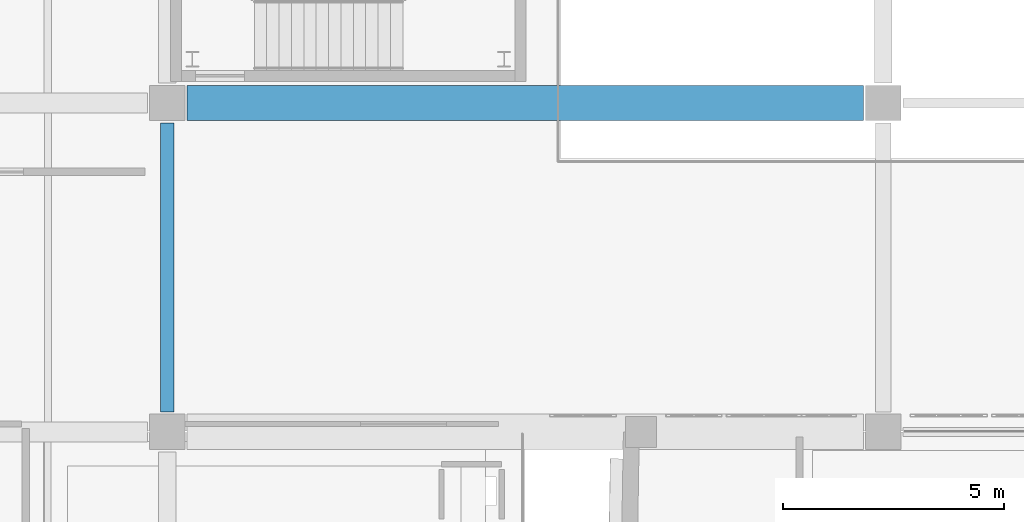
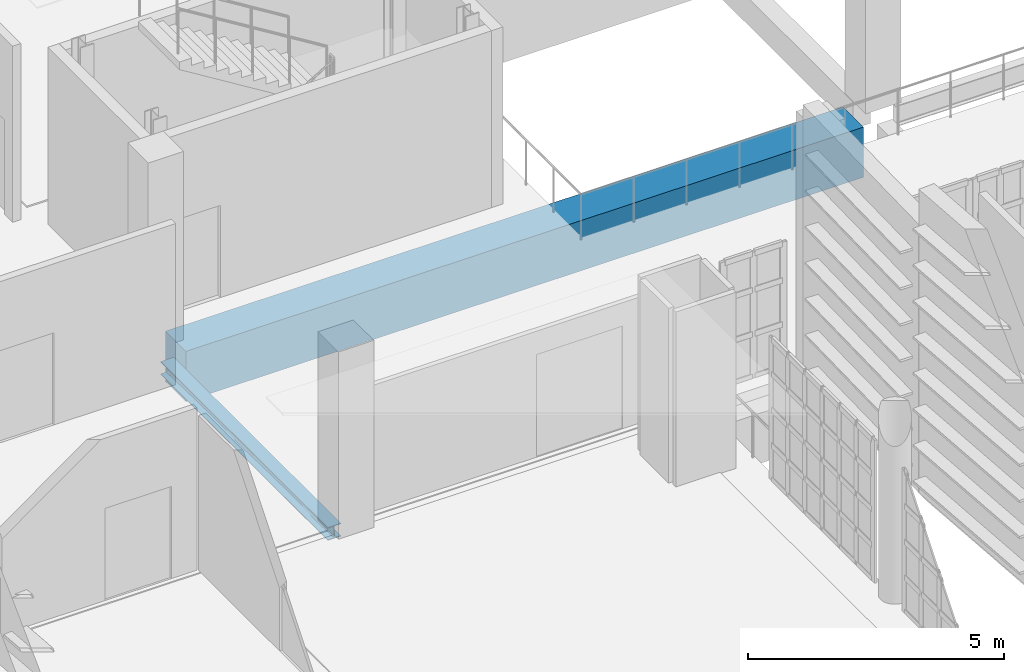
# One storey, part 17 of 73: 2 beams.
"""IFC4 building model written with IfcOpenShell, lengths in metres."""

from ifc_helpers import new_model, si_unit, direction, frame, origin, origin_2d, place, context, subcontext, project, spatial, rectangle, i_section, extrude, material, material_profile, profile_set, type_object, element, save


model = new_model("IFC4")

# Units and contexts
model_context = context("Model", 3, precision=1e-05, world=origin(), true_north=direction((0.0, 1.0)))
body_context = subcontext(model_context, "Body", "Model", "MODEL_VIEW")
ifc_project = project(units=[si_unit("LENGTHUNIT", "METRE"), si_unit("AREAUNIT", "SQUARE_METRE"), si_unit("VOLUMEUNIT", "CUBIC_METRE"), si_unit("PLANEANGLEUNIT", "RADIAN"), si_unit("MASSUNIT", "GRAM", prefix="KILO")], contexts=[model_context])

# Site, building, storey
site_placement = place(None, origin())
site = spatial("IfcSite", under=ifc_project, at=site_placement, CompositionType="ELEMENT")
building_placement = place(site_placement, origin())
building = spatial("IfcBuilding", under=site, at=building_placement, Name="Kaelora Sail Theatre", CompositionType="ELEMENT")
storey_placement = place(building_placement, frame((0.0, 0.0, 10.199951171875)))
storey = spatial("IfcBuildingStorey", under=building, at=storey_placement, Name="L02", CompositionType="ELEMENT", Elevation=10.199951171875)

# Beams
ifc_material_1 = material(Name="Steel S355", Category="steel")
ifc_material_profile_1 = material_profile(ifc_material_1, i_section(OverallWidth=0.300048828125, OverallDepth=0.31005859375, WebThickness=0.009033203125, FlangeThickness=0.015380859375, FilletRadius=0.027099609375, at=origin_2d()), Name="HEA 320")
ifc_profile_set_1 = profile_set([ifc_material_profile_1], Name="Steel S355")
beam_type_1 = type_object("IfcBeamType", Name="STR-BM-BM-HEA320", PredefinedType="BEAM", material=ifc_profile_set_1)
beam_1_placement = place(storey_placement, frame((66.300048828125, 61.469970703125, -0.449951171875), z_axis=(0.0, 1.0, 0.0), x_axis=(-1.0, 0.0, 0.0)))
element("IfcBeam", 1, at=beam_1_placement, inside=storey, type_object=beam_type_1, Name="Primary beam 9 I-J (L02)", PredefinedType="BEAM", context=body_context, shape_type="SweptSolid", body=[
    extrude(i_section(OverallWidth=0.300048828125, OverallDepth=0.31005859375, WebThickness=0.009033203125, FlangeThickness=0.015380859375, FilletRadius=0.027099609375, at=origin_2d()), origin(), (0.0, 0.0, 1.0), 6.5400390625),
])
ifc_material_2 = material(Name="Concrete C50/60", Category="concrete")
ifc_material_profile_2 = material_profile(ifc_material_2, rectangle(XDim=0.800048828125, YDim=1.199951171875, at=origin_2d()), Name="RC-SRB 800x1200")
ifc_profile_set_2 = profile_set([ifc_material_profile_2], Name="Concrete C50/60")
beam_type_2 = type_object("IfcBeamType", Name="STR-BM-SRB-8012", PredefinedType="T_BEAM", material=ifc_profile_set_2)
beam_2_placement = place(storey_placement, frame((66.75, 68.4599609375, -0.89501953125), z_axis=(1.0, 0.0, 0.0), x_axis=(0.0, 1.0, 0.0)))
element("IfcBeam", 2, at=beam_2_placement, inside=storey, type_object=beam_type_2, Name="Grand Foyer clear-span girder L02-J", PredefinedType="T_BEAM", context=body_context, shape_type="SweptSolid", body=[
    extrude(rectangle(XDim=0.800048828125, YDim=1.199951171875, at=origin_2d()), origin(), (0.0, 0.0, 1.0), 15.300048828125),
])

save(model, "model.ifc")
